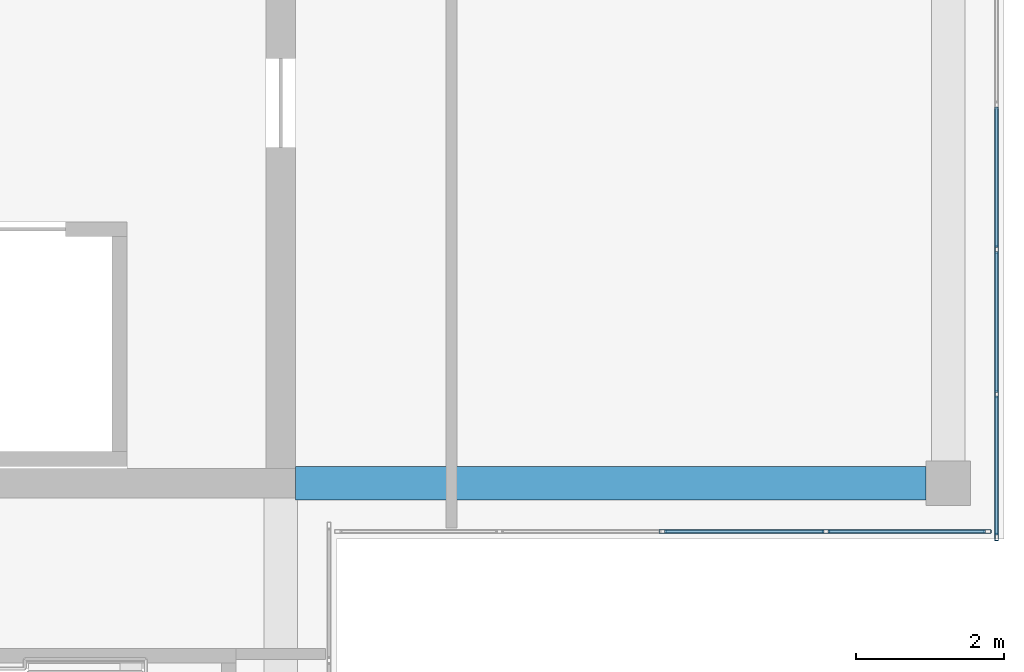
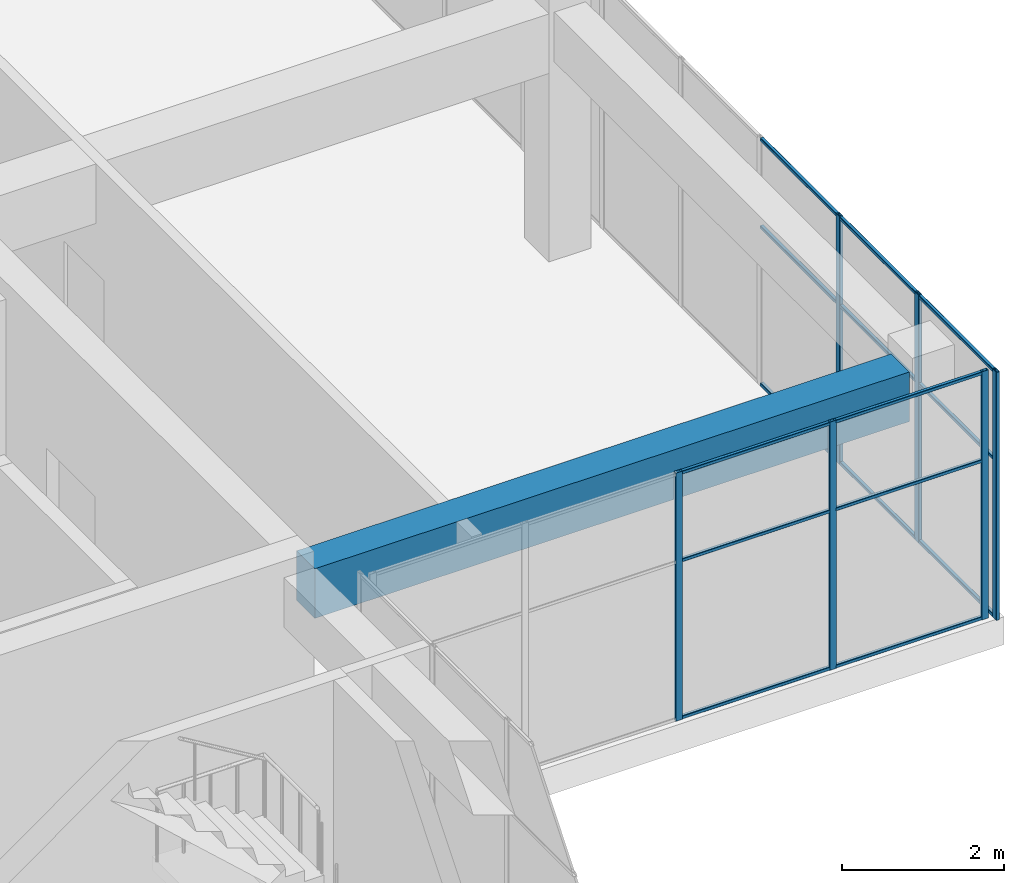
# One storey, part 13 of 32: 21 members, 1 beam, 2 elements without a shape of their own.
"""IFC4 building model written with IfcOpenShell, lengths in metres."""

from ifc_helpers import new_model, si_unit, direction, frame, origin, origin_2d, place, context, subcontext, project, spatial, rectangle, hollow_rectangle, extrude, material, layer, layer_set, material_profile, profile_set, type_object, element, aggregate, save


model = new_model("IFC4")

# Units and contexts
model_context = context("Model", 3, precision=1e-05, world=origin(), true_north=direction((0.0, 1.0)))
body_context = subcontext(model_context, "Body", "Model", "MODEL_VIEW")
ifc_project = project(units=[si_unit("LENGTHUNIT", "METRE"), si_unit("AREAUNIT", "SQUARE_METRE"), si_unit("VOLUMEUNIT", "CUBIC_METRE"), si_unit("PLANEANGLEUNIT", "RADIAN"), si_unit("MASSUNIT", "GRAM", prefix="KILO")], contexts=[model_context])

# Site, building, storey
site_placement = place(None, origin())
site = spatial("IfcSite", under=ifc_project, at=site_placement, CompositionType="ELEMENT")
building_placement = place(site_placement, origin())
building = spatial("IfcBuilding", under=site, at=building_placement, Name="Tuart Plaza Theatre", CompositionType="ELEMENT")
storey_placement = place(building_placement, frame((0.0, 0.0, 41.5)))
storey = spatial("IfcBuildingStorey", under=building, at=storey_placement, Name="L10", CompositionType="ELEMENT", Elevation=41.5)

# Beam
ifc_material_1 = material(Name="Concrete N40 (40 MPa)", Category="concrete")
ifc_material_profile_1 = material_profile(ifc_material_1, rectangle(XDim=0.449951171875, YDim=0.75, at=origin_2d()), Name="BEAM 450x750 Concrete N40 (40 MPa)")
ifc_profile_set_1 = profile_set([ifc_material_profile_1], Name="Concrete N40 (40 MPa)")
beam_type = type_object("IfcBeamType", Name="BEAM 450x750 Concrete N40 (40 MPa)", PredefinedType="BEAM", material=ifc_profile_set_1)
beam_placement = place(storey_placement, frame((141.199951171875, 65.0, 3.375), z_axis=(1.0, 0.0, 0.0), x_axis=(0.0, 1.0, 0.0)))
element("IfcBeam", 1, at=beam_placement, inside=storey, type_object=beam_type, Name="RB306", PredefinedType="BEAM", context=body_context, shape_type="SweptSolid", body=[
    extrude(rectangle(XDim=0.449951171875, YDim=0.75, at=origin_2d()), origin(), (0.0, 0.0, 1.0), 8.5),
])

# Curtain wall, members
ifc_material_2 = material(Name="Aluminium and glass", Category="aluminium")
ifc_layer = layer(ifc_material_2, 0.10009765625)
ifc_layer_set = layer_set([ifc_layer], Name="CURTAIN WALL 2000 module")
curtain_wall_type = type_object("IfcCurtainWallType", Name="CURTAIN WALL 2000 module", PredefinedType="NOTDEFINED", material=ifc_layer_set)
curtain_wall_1_placement = place(storey_placement, origin())
curtain_wall_1 = element("IfcCurtainWall", 2, at=curtain_wall_1_placement, inside=storey, type_object=curtain_wall_type, Name="CW101", PredefinedType="NOTDEFINED")
ifc_material_3 = material(Name="Aluminium 6063-T5", Category="aluminium")
ifc_material_profile_2 = material_profile(ifc_material_3, hollow_rectangle(XDim=0.050048828125, YDim=0.10009765625, WallThickness=0.00390625, InnerFilletRadius=0.00390625, OuterFilletRadius=0.008056640625, at=origin_2d()), Name="RHS 100x50x4")
ifc_profile_set_2 = profile_set([ifc_material_profile_2], Name="Aluminium 6063-T5")
member_type_1 = type_object("IfcMemberType", Name="MULLION RHS 100x50x4", PredefinedType="MULLION", material=ifc_profile_set_2)
member_1_placement = place(storey_placement, frame((146.14990234375, 64.35009765625, 0.0), z_axis=(0.0, 0.0, 1.0), x_axis=(0.0, 1.0, 0.0)))
member_1 = element("IfcMember", 3, at=member_1_placement, type_object=member_type_1, Name="CW101 mullion 3", PredefinedType="MULLION", context=body_context, shape_type="SweptSolid", body=[
    extrude(hollow_rectangle(XDim=0.050048828125, YDim=0.10009765625, WallThickness=0.00390625, InnerFilletRadius=0.00390625, OuterFilletRadius=0.008056640625, at=origin_2d()), origin(), (0.0, 0.0, 1.0), 3.75),
])
member_2_placement = place(storey_placement, frame((148.35009765625, 64.35009765625, 0.0), z_axis=(0.0, 0.0, 1.0), x_axis=(0.0, 1.0, 0.0)))
member_2 = element("IfcMember", 4, at=member_2_placement, type_object=member_type_1, Name="CW101 mullion 4", PredefinedType="MULLION", context=body_context, shape_type="SweptSolid", body=[
    extrude(hollow_rectangle(XDim=0.050048828125, YDim=0.10009765625, WallThickness=0.00390625, InnerFilletRadius=0.00390625, OuterFilletRadius=0.008056640625, at=origin_2d()), origin(), (0.0, 0.0, 1.0), 3.75),
])
member_3_placement = place(storey_placement, frame((150.52490234375, 64.35009765625, 0.0), z_axis=(0.0, 0.0, 1.0), x_axis=(0.0, 1.0, 0.0)))
member_3 = element("IfcMember", 5, at=member_3_placement, type_object=member_type_1, Name="CW101 mullion 5", PredefinedType="MULLION", context=body_context, shape_type="SweptSolid", body=[
    extrude(hollow_rectangle(XDim=0.050048828125, YDim=0.10009765625, WallThickness=0.00390625, InnerFilletRadius=0.00390625, OuterFilletRadius=0.008056640625, at=origin_2d()), origin(), (0.0, 0.0, 1.0), 3.75),
])

curtain_wall_2_placement = place(storey_placement, origin())
curtain_wall_2 = element("IfcCurtainWall", 6, at=curtain_wall_2_placement, inside=storey, type_object=curtain_wall_type, Name="CW102", PredefinedType="NOTDEFINED")
member_4_placement = place(storey_placement, frame((150.64990234375, 64.27490234375, 0.0), z_axis=(0.0, 0.0, 1.0), x_axis=(-1.0, 0.0, 0.0)))
member_4 = element("IfcMember", 7, at=member_4_placement, type_object=member_type_1, Name="CW102 mullion 1", PredefinedType="MULLION", context=body_context, shape_type="SweptSolid", body=[
    extrude(hollow_rectangle(XDim=0.050048828125, YDim=0.10009765625, WallThickness=0.00390625, InnerFilletRadius=0.00390625, OuterFilletRadius=0.008056640625, at=origin_2d()), origin(), (0.0, 0.0, 1.0), 3.75),
])
member_5_placement = place(storey_placement, frame((150.64990234375, 66.199951171875, 0.0), z_axis=(0.0, 0.0, 1.0), x_axis=(-1.0, 0.0, 0.0)))
member_5 = element("IfcMember", 8, at=member_5_placement, type_object=member_type_1, Name="CW102 mullion 2", PredefinedType="MULLION", context=body_context, shape_type="SweptSolid", body=[
    extrude(hollow_rectangle(XDim=0.050048828125, YDim=0.10009765625, WallThickness=0.00390625, InnerFilletRadius=0.00390625, OuterFilletRadius=0.008056640625, at=origin_2d()), origin(), (0.0, 0.0, 1.0), 3.75),
])
member_6_placement = place(storey_placement, frame((150.64990234375, 68.14990234375, 0.0), z_axis=(0.0, 0.0, 1.0), x_axis=(-1.0, 0.0, 0.0)))
member_6 = element("IfcMember", 9, at=member_6_placement, type_object=member_type_1, Name="CW102 mullion 3", PredefinedType="MULLION", context=body_context, shape_type="SweptSolid", body=[
    extrude(hollow_rectangle(XDim=0.050048828125, YDim=0.10009765625, WallThickness=0.00390625, InnerFilletRadius=0.00390625, OuterFilletRadius=0.008056640625, at=origin_2d()), origin(), (0.0, 0.0, 1.0), 3.75),
])

# Member
ifc_material_4 = material(Name="Aluminium 6063-T5", Category="aluminium")
ifc_material_profile_3 = material_profile(ifc_material_4, hollow_rectangle(XDim=0.050048828125, YDim=0.050048828125, WallThickness=0.00390625, InnerFilletRadius=0.00390625, OuterFilletRadius=0.008056640625, at=origin_2d()), Name="RHS 50x50x4")
ifc_profile_set_3 = profile_set([ifc_material_profile_3], Name="Aluminium 6063-T5")
member_type_2 = type_object("IfcMemberType", Name="TRANSOM RHS 50x50x4", PredefinedType="USERDEFINED", material=ifc_profile_set_3)
member_7_placement = place(storey_placement, frame((146.175048828125, 64.35009765625, 0.02490234375), z_axis=(1.0, 0.0, 0.0), x_axis=(0.0, 1.0, 0.0)))
member_7 = element("IfcMember", 10, at=member_7_placement, type_object=member_type_2, Name="CW101 transom 3.1", ObjectType="TRANSOM", PredefinedType="USERDEFINED", context=body_context, shape_type="SweptSolid", body=[
    extrude(hollow_rectangle(XDim=0.050048828125, YDim=0.050048828125, WallThickness=0.00390625, InnerFilletRadius=0.00390625, OuterFilletRadius=0.008056640625, at=origin_2d()), origin(), (0.0, 0.0, 1.0), 2.14990234375),
])

member_8_placement = place(storey_placement, frame((146.175048828125, 64.35009765625, 2.39990234375), z_axis=(1.0, 0.0, 0.0), x_axis=(0.0, 1.0, 0.0)))
member_8 = element("IfcMember", 11, at=member_8_placement, type_object=member_type_2, Name="CW101 transom 3.2", ObjectType="TRANSOM", PredefinedType="USERDEFINED", context=body_context, shape_type="SweptSolid", body=[
    extrude(hollow_rectangle(XDim=0.050048828125, YDim=0.050048828125, WallThickness=0.00390625, InnerFilletRadius=0.00390625, OuterFilletRadius=0.008056640625, at=origin_2d()), origin(), (0.0, 0.0, 1.0), 2.14990234375),
])

member_9_placement = place(storey_placement, frame((146.175048828125, 64.35009765625, 3.72509765625), z_axis=(1.0, 0.0, 0.0), x_axis=(0.0, 1.0, 0.0)))
member_9 = element("IfcMember", 12, at=member_9_placement, type_object=member_type_2, Name="CW101 transom 3.3", ObjectType="TRANSOM", PredefinedType="USERDEFINED", context=body_context, shape_type="SweptSolid", body=[
    extrude(hollow_rectangle(XDim=0.050048828125, YDim=0.050048828125, WallThickness=0.00390625, InnerFilletRadius=0.00390625, OuterFilletRadius=0.008056640625, at=origin_2d()), origin(), (0.0, 0.0, 1.0), 2.14990234375),
])

member_10_placement = place(storey_placement, frame((148.375, 64.35009765625, 0.02490234375), z_axis=(1.0, 0.0, 0.0), x_axis=(0.0, 1.0, 0.0)))
member_10 = element("IfcMember", 13, at=member_10_placement, type_object=member_type_2, Name="CW101 transom 4.1", ObjectType="TRANSOM", PredefinedType="USERDEFINED", context=body_context, shape_type="SweptSolid", body=[
    extrude(hollow_rectangle(XDim=0.050048828125, YDim=0.050048828125, WallThickness=0.00390625, InnerFilletRadius=0.00390625, OuterFilletRadius=0.008056640625, at=origin_2d()), origin(), (0.0, 0.0, 1.0), 2.125),
])

member_11_placement = place(storey_placement, frame((148.375, 64.35009765625, 2.39990234375), z_axis=(1.0, 0.0, 0.0), x_axis=(0.0, 1.0, 0.0)))
member_11 = element("IfcMember", 14, at=member_11_placement, type_object=member_type_2, Name="CW101 transom 4.2", ObjectType="TRANSOM", PredefinedType="USERDEFINED", context=body_context, shape_type="SweptSolid", body=[
    extrude(hollow_rectangle(XDim=0.050048828125, YDim=0.050048828125, WallThickness=0.00390625, InnerFilletRadius=0.00390625, OuterFilletRadius=0.008056640625, at=origin_2d()), origin(), (0.0, 0.0, 1.0), 2.125),
])

member_12_placement = place(storey_placement, frame((148.375, 64.35009765625, 3.72509765625), z_axis=(1.0, 0.0, 0.0), x_axis=(0.0, 1.0, 0.0)))
member_12 = element("IfcMember", 15, at=member_12_placement, type_object=member_type_2, Name="CW101 transom 4.3", ObjectType="TRANSOM", PredefinedType="USERDEFINED", context=body_context, shape_type="SweptSolid", body=[
    extrude(hollow_rectangle(XDim=0.050048828125, YDim=0.050048828125, WallThickness=0.00390625, InnerFilletRadius=0.00390625, OuterFilletRadius=0.008056640625, at=origin_2d()), origin(), (0.0, 0.0, 1.0), 2.125),
])

aggregate(curtain_wall_1, [member_1, member_2, member_3, member_7, member_8, member_9, member_10, member_11, member_12])

member_13_placement = place(storey_placement, frame((150.64990234375, 64.300048828125, 0.02490234375), z_axis=(0.0, 1.0, 0.0), x_axis=(-1.0, 0.0, 0.0)))
member_13 = element("IfcMember", 16, at=member_13_placement, type_object=member_type_2, Name="CW102 transom 1.1", ObjectType="TRANSOM", PredefinedType="USERDEFINED", context=body_context, shape_type="SweptSolid", body=[
    extrude(hollow_rectangle(XDim=0.050048828125, YDim=0.050048828125, WallThickness=0.00390625, InnerFilletRadius=0.00390625, OuterFilletRadius=0.008056640625, at=origin_2d()), origin(), (0.0, 0.0, 1.0), 1.875),
])

member_14_placement = place(storey_placement, frame((150.64990234375, 64.300048828125, 2.39990234375), z_axis=(0.0, 1.0, 0.0), x_axis=(-1.0, 0.0, 0.0)))
member_14 = element("IfcMember", 17, at=member_14_placement, type_object=member_type_2, Name="CW102 transom 1.2", ObjectType="TRANSOM", PredefinedType="USERDEFINED", context=body_context, shape_type="SweptSolid", body=[
    extrude(hollow_rectangle(XDim=0.050048828125, YDim=0.050048828125, WallThickness=0.00390625, InnerFilletRadius=0.00390625, OuterFilletRadius=0.008056640625, at=origin_2d()), origin(), (0.0, 0.0, 1.0), 1.875),
])

member_15_placement = place(storey_placement, frame((150.64990234375, 64.300048828125, 3.72509765625), z_axis=(0.0, 1.0, 0.0), x_axis=(-1.0, 0.0, 0.0)))
member_15 = element("IfcMember", 18, at=member_15_placement, type_object=member_type_2, Name="CW102 transom 1.3", ObjectType="TRANSOM", PredefinedType="USERDEFINED", context=body_context, shape_type="SweptSolid", body=[
    extrude(hollow_rectangle(XDim=0.050048828125, YDim=0.050048828125, WallThickness=0.00390625, InnerFilletRadius=0.00390625, OuterFilletRadius=0.008056640625, at=origin_2d()), origin(), (0.0, 0.0, 1.0), 1.875),
])

member_16_placement = place(storey_placement, frame((150.64990234375, 66.22509765625, 0.02490234375), z_axis=(0.0, 1.0, 0.0), x_axis=(-1.0, 0.0, 0.0)))
member_16 = element("IfcMember", 19, at=member_16_placement, type_object=member_type_2, Name="CW102 transom 2.1", ObjectType="TRANSOM", PredefinedType="USERDEFINED", context=body_context, shape_type="SweptSolid", body=[
    extrude(hollow_rectangle(XDim=0.050048828125, YDim=0.050048828125, WallThickness=0.00390625, InnerFilletRadius=0.00390625, OuterFilletRadius=0.008056640625, at=origin_2d()), origin(), (0.0, 0.0, 1.0), 1.89990234375),
])

member_17_placement = place(storey_placement, frame((150.64990234375, 66.22509765625, 2.39990234375), z_axis=(0.0, 1.0, 0.0), x_axis=(-1.0, 0.0, 0.0)))
member_17 = element("IfcMember", 20, at=member_17_placement, type_object=member_type_2, Name="CW102 transom 2.2", ObjectType="TRANSOM", PredefinedType="USERDEFINED", context=body_context, shape_type="SweptSolid", body=[
    extrude(hollow_rectangle(XDim=0.050048828125, YDim=0.050048828125, WallThickness=0.00390625, InnerFilletRadius=0.00390625, OuterFilletRadius=0.008056640625, at=origin_2d()), origin(), (0.0, 0.0, 1.0), 1.89990234375),
])

member_18_placement = place(storey_placement, frame((150.64990234375, 66.22509765625, 3.72509765625), z_axis=(0.0, 1.0, 0.0), x_axis=(-1.0, 0.0, 0.0)))
member_18 = element("IfcMember", 21, at=member_18_placement, type_object=member_type_2, Name="CW102 transom 2.3", ObjectType="TRANSOM", PredefinedType="USERDEFINED", context=body_context, shape_type="SweptSolid", body=[
    extrude(hollow_rectangle(XDim=0.050048828125, YDim=0.050048828125, WallThickness=0.00390625, InnerFilletRadius=0.00390625, OuterFilletRadius=0.008056640625, at=origin_2d()), origin(), (0.0, 0.0, 1.0), 1.89990234375),
])

member_19_placement = place(storey_placement, frame((150.64990234375, 68.175048828125, 0.02490234375), z_axis=(0.0, 1.0, 0.0), x_axis=(-1.0, 0.0, 0.0)))
member_19 = element("IfcMember", 22, at=member_19_placement, type_object=member_type_2, Name="CW102 transom 3.1", ObjectType="TRANSOM", PredefinedType="USERDEFINED", context=body_context, shape_type="SweptSolid", body=[
    extrude(hollow_rectangle(XDim=0.050048828125, YDim=0.050048828125, WallThickness=0.00390625, InnerFilletRadius=0.00390625, OuterFilletRadius=0.008056640625, at=origin_2d()), origin(), (0.0, 0.0, 1.0), 1.89990234375),
])

member_20_placement = place(storey_placement, frame((150.64990234375, 68.175048828125, 2.39990234375), z_axis=(0.0, 1.0, 0.0), x_axis=(-1.0, 0.0, 0.0)))
member_20 = element("IfcMember", 23, at=member_20_placement, type_object=member_type_2, Name="CW102 transom 3.2", ObjectType="TRANSOM", PredefinedType="USERDEFINED", context=body_context, shape_type="SweptSolid", body=[
    extrude(hollow_rectangle(XDim=0.050048828125, YDim=0.050048828125, WallThickness=0.00390625, InnerFilletRadius=0.00390625, OuterFilletRadius=0.008056640625, at=origin_2d()), origin(), (0.0, 0.0, 1.0), 1.89990234375),
])

member_21_placement = place(storey_placement, frame((150.64990234375, 68.175048828125, 3.72509765625), z_axis=(0.0, 1.0, 0.0), x_axis=(-1.0, 0.0, 0.0)))
member_21 = element("IfcMember", 24, at=member_21_placement, type_object=member_type_2, Name="CW102 transom 3.3", ObjectType="TRANSOM", PredefinedType="USERDEFINED", context=body_context, shape_type="SweptSolid", body=[
    extrude(hollow_rectangle(XDim=0.050048828125, YDim=0.050048828125, WallThickness=0.00390625, InnerFilletRadius=0.00390625, OuterFilletRadius=0.008056640625, at=origin_2d()), origin(), (0.0, 0.0, 1.0), 1.89990234375),
])

aggregate(curtain_wall_2, [member_4, member_5, member_6, member_13, member_14, member_15, member_16, member_17, member_18, member_19, member_20, member_21])

save(model, "model.ifc")
